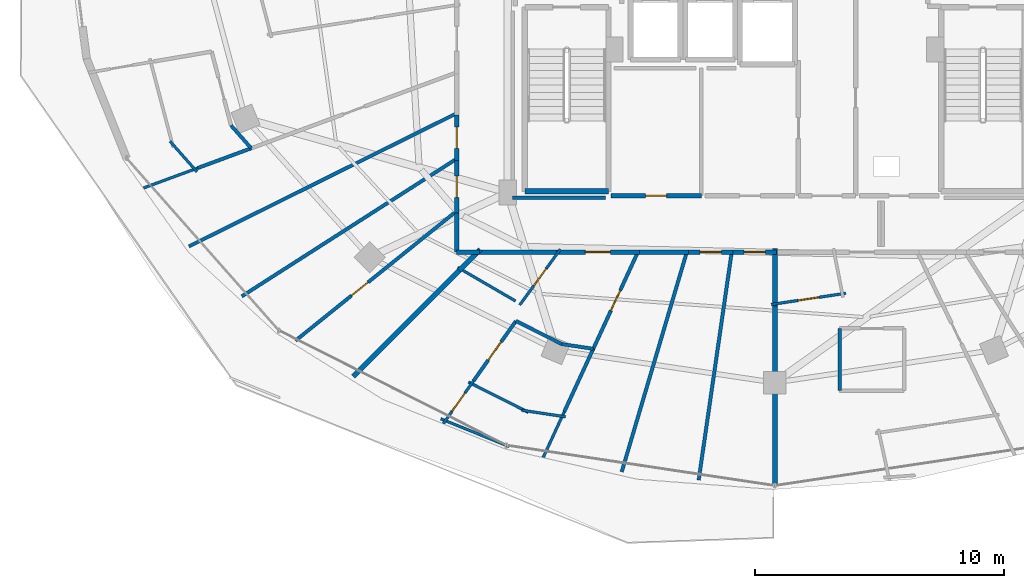
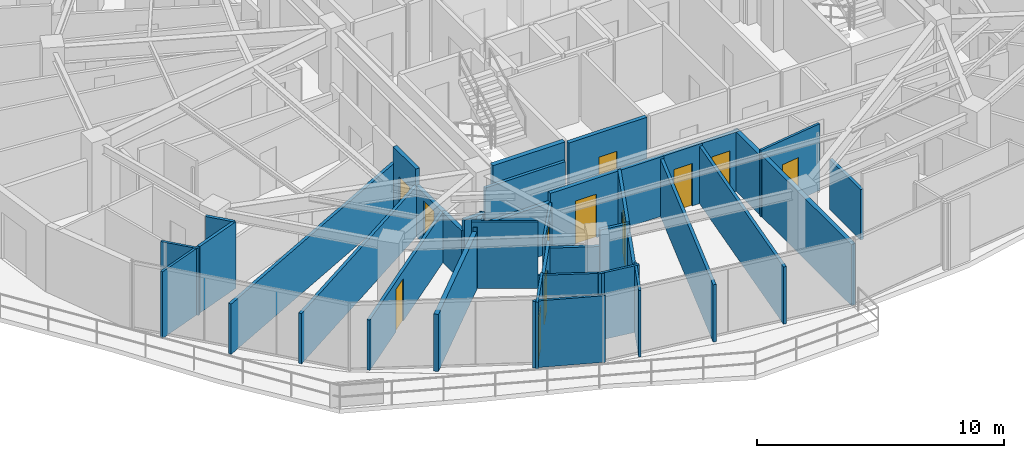
# One storey, part 24 of 33: 39 walls, 12 doors, 12 openings.
"""IFC4 building model written with IfcOpenShell, lengths in metres."""

from ifc_helpers import new_model, si_unit, direction, frame, frame_2d, origin, place, context, subcontext, project, spatial, rectangle, extrude, material, layer, layer_set, type_object, element, fill, save


model = new_model("IFC4")

# Units and contexts
model_context = context("Model", 3, precision=1e-05, world=origin(), true_north=direction((0.0, 1.0)))
body_context = subcontext(model_context, "Body", "Model", "MODEL_VIEW")
ifc_project = project(units=[si_unit("LENGTHUNIT", "METRE"), si_unit("AREAUNIT", "SQUARE_METRE"), si_unit("VOLUMEUNIT", "CUBIC_METRE"), si_unit("PLANEANGLEUNIT", "RADIAN"), si_unit("MASSUNIT", "GRAM", prefix="KILO")], contexts=[model_context])

# Site, building, storey
site_placement = place(None, origin())
site = spatial("IfcSite", under=ifc_project, at=site_placement, CompositionType="ELEMENT")
building_placement = place(site_placement, origin())
building = spatial("IfcBuilding", under=site, at=building_placement, Name="Vorneva Point Tower", CompositionType="ELEMENT")
storey_placement = place(building_placement, frame((0.0, 0.0, 200.10009765625)))
storey = spatial("IfcBuildingStorey", under=building, at=storey_placement, Name="L54", CompositionType="ELEMENT", Elevation=200.10009765625)

# Walls
ifc_material_1 = material(Name="Fire-rated acoustic gypsum stud partition", Category="gypsum")
ifc_layer_1 = layer(ifc_material_1, 0.110107421875)
ifc_layer_set_1 = layer_set([ifc_layer_1], Name="Fire-rated acoustic gypsum stud partition")
wall_type_1 = type_object("IfcWallType", Name="WL-PART-110", PredefinedType="PARTITIONING", material=ifc_layer_set_1)
wall_1_placement = place(storey_placement, frame((14.749755859375, 17.283203125, 0.0), z_axis=(0.0, 0.0, 1.0), x_axis=(-0.662345628205, 0.749198417509, 0.0)))
element("IfcWall", 1, at=wall_1_placement, inside=storey, type_object=wall_type_1, Name="L54 Interior Partition 109", PredefinedType="PARTITIONING", context=body_context, shape_type="SweptSolid", body=[
    extrude(rectangle(XDim=1.638916015625, YDim=0.110107421875, at=frame_2d((0.8193359375, 0.0))), origin(), (0.0, 0.0, 1.0), 3.289794921875),
])
wall_2_placement = place(storey_placement, frame((12.603759765625, 16.630615234375, 0.0), z_axis=(0.0, 0.0, 1.0), x_axis=(0.938194450562, 0.346108614361, 0.0)))
element("IfcWall", 2, at=wall_2_placement, inside=storey, type_object=wall_type_1, Name="L54 Interior Partition 111", PredefinedType="PARTITIONING", context=body_context, shape_type="SweptSolid", body=[
    extrude(rectangle(XDim=2.328369140625, YDim=0.110107421875, at=frame_2d((1.1640625, 0.0))), origin(), (0.0, 0.0, 1.0), 3.289794921875),
])

# Wall, opening, door
wall_3_placement = place(storey_placement, frame((29.37158203125, 14.1630859375, 0.0), z_axis=(0.0, 0.0, 1.0), x_axis=(-0.589066743954, -0.808084383693, 0.0)))
wall_3 = element("IfcWall", 3, at=wall_3_placement, inside=storey, type_object=wall_type_1, Name="L54 Interior Partition 118", PredefinedType="PARTITIONING", context=body_context, shape_type="SweptSolid", body=[
    extrude(rectangle(XDim=2.772216796875, YDim=0.110107421875, at=frame_2d((1.38623046875, 0.0))), origin(), (0.0, 0.0, 1.0), 2.48193359375),
])
opening_1_placement = place(wall_3_placement, frame((0.961181640625, 0.0, 0.0)))
opening_1 = element("IfcOpeningElement", 4, at=opening_1_placement, cuts=wall_3, Name="Opening ID-02", PredefinedType="OPENING", context=body_context, shape_type="SweptSolid", body=[
    extrude(rectangle(XDim=0.85009765625, YDim=2.10009765625, at=frame_2d((0.425048828125, 1.050048828125))), frame((0.0, 0.06982421875, 0.0), z_axis=(0.0, -1.0, 0.0), x_axis=(1.0, 0.0, 0.0)), (0.0, 0.0, 1.0), 0.139892578125),
])
ifc_material_2 = material(Name="Engineered oak fire-rated door leaf", Category="wood")
door_type_1 = type_object("IfcDoorType", Name="DR-BATH-850", OperationType="NOTDEFINED", PredefinedType="DOOR", material=ifc_material_2)
door_1_placement = place(opening_1_placement, origin())
door_1 = element("IfcDoor", 5, at=door_1_placement, inside=storey, type_object=door_type_1, Name="L54 Door Living and Dining Room L54-04 / Bathroom L54-04", OperationType="SINGLE_SWING_LEFT", OverallHeight=2.10009765625, OverallWidth=0.85009765625, PredefinedType="DOOR", context=body_context, shape_type="SweptSolid", body=[
    extrude(rectangle(XDim=0.85009765625, YDim=2.10009765625, at=frame_2d((0.425048828125, 1.050048828125))), frame((0.0, 0.02490234375, 0.0), z_axis=(0.0, -1.0, 0.0), x_axis=(1.0, 0.0, 0.0)), (0.0, 0.0, 1.0), 0.050048828125),
])
fill(opening_1, door_1)

# Walls
wall_4_placement = place(storey_placement, frame((27.568115234375, 12.08251953125, 0.0), z_axis=(0.0, 0.0, 1.0), x_axis=(-0.864515441931, 0.502606258082, 0.0)))
element("IfcWall", 6, at=wall_4_placement, inside=storey, type_object=wall_type_1, Name="L54 Interior Partition 119", PredefinedType="PARTITIONING", context=body_context, shape_type="SweptSolid", body=[
    extrude(rectangle(XDim=2.689697265625, YDim=0.110107421875, at=frame_2d((1.3447265625, 0.0))), origin(), (0.0, 0.0, 1.0), 3.289794921875),
])
wall_5_placement = place(storey_placement, frame((29.528564453125, 7.6240234375, 0.0), z_axis=(0.0, 0.0, 1.0), x_axis=(-0.418673802252, -0.908136689771, 0.0)))
element("IfcWall", 7, at=wall_5_placement, inside=storey, type_object=wall_type_1, Name="L54 Interior Partition 120", PredefinedType="PARTITIONING", context=body_context, shape_type="SweptSolid", body=[
    extrude(rectangle(XDim=2.01416015625, YDim=0.110107421875, at=frame_2d((1.007080078125, 0.0))), origin(), (0.0, 0.0, 1.0), 3.289794921875),
])
wall_6_placement = place(storey_placement, frame((24.561279296875, 7.342529296875, 0.0), z_axis=(0.0, 0.0, 1.0), x_axis=(0.926858319785, -0.375411314487, 0.0)))
element("IfcWall", 8, at=wall_6_placement, inside=storey, type_object=wall_type_1, Name="L54 Interior Partition 121", PredefinedType="PARTITIONING", context=body_context, shape_type="SweptSolid", body=[
    extrude(rectangle(XDim=2.970703125, YDim=0.110107421875, at=frame_2d((1.4853515625, 0.0))), origin(), (0.0, 0.0, 1.0), 3.289794921875),
])

# Wall, opening, door
wall_7_placement = place(storey_placement, frame((24.666259765625, 7.15380859375, 0.0), z_axis=(0.0, 0.0, 1.0), x_axis=(0.577389248155, 0.816469017241, 0.0)))
wall_7 = element("IfcWall", 9, at=wall_7_placement, inside=storey, type_object=wall_type_1, Name="L54 Interior Partition 122", PredefinedType="PARTITIONING", context=body_context, shape_type="SweptSolid", body=[
    extrude(rectangle(XDim=2.103515625, YDim=0.110107421875, at=frame_2d((1.0517578125, 0.0))), origin(), (0.0, 0.0, 1.0), 3.289794921875),
])
opening_2_placement = place(wall_7_placement, frame((0.601806640625, 0.0, 0.0)))
opening_2 = element("IfcOpeningElement", 10, at=opening_2_placement, cuts=wall_7, Name="Opening ID-01", PredefinedType="OPENING", context=body_context, shape_type="SweptSolid", body=[
    extrude(rectangle(XDim=0.89990234375, YDim=2.10009765625, at=frame_2d((0.449951171875, 1.050048828125))), frame((0.0, 0.06982421875, 0.0), z_axis=(0.0, -1.0, 0.0), x_axis=(1.0, 0.0, 0.0)), (0.0, 0.0, 1.0), 0.139892578125),
])
door_type_2 = type_object("IfcDoorType", Name="DR-ROOM-900", OperationType="NOTDEFINED", PredefinedType="DOOR", material=ifc_material_2)
door_2_placement = place(opening_2_placement, origin())
door_2 = element("IfcDoor", 11, at=door_2_placement, inside=storey, type_object=door_type_2, Name="L54 Door Living and Dining Room L54-04 / Kitchen L54-04", OperationType="SINGLE_SWING_LEFT", OverallHeight=2.10009765625, OverallWidth=0.89990234375, PredefinedType="DOOR", context=body_context, shape_type="SweptSolid", body=[
    extrude(rectangle(XDim=0.89990234375, YDim=2.10009765625, at=frame_2d((0.449951171875, 1.050048828125))), frame((0.0, 0.02490234375, 0.0), z_axis=(0.0, -1.0, 0.0), x_axis=(1.0, 0.0, 0.0)), (0.0, 0.0, 1.0), 0.050048828125),
])
fill(opening_2, door_2)

# Walls
wall_8_placement = place(storey_placement, frame((29.58349609375, 7.422119140625, 0.0), z_axis=(0.0, 0.0, 1.0), x_axis=(-0.988830695744, 0.149043131857, 0.0)))
element("IfcWall", 12, at=wall_8_placement, inside=storey, type_object=wall_type_1, Name="L54 Interior Partition 128", PredefinedType="PARTITIONING", context=body_context, shape_type="SweptSolid", body=[
    extrude(rectangle(XDim=1.783935546875, YDim=0.110107421875, at=frame_2d((0.89208984375, 0.0))), origin(), (0.0, 0.0, 1.0), 3.289794921875),
])
wall_9_placement = place(storey_placement, frame((28.0830078125, 7.60400390625, 0.0), z_axis=(0.0, 0.0, 1.0), x_axis=(-0.892628057427, 0.450793911999, 0.0)))
element("IfcWall", 13, at=wall_9_placement, inside=storey, type_object=wall_type_1, Name="L54 Interior Partition 129", PredefinedType="PARTITIONING", context=body_context, shape_type="SweptSolid", body=[
    extrude(rectangle(XDim=2.697509765625, YDim=0.110107421875, at=frame_2d((1.3486328125, 0.0))), origin(), (0.0, 0.0, 1.0), 3.289794921875),
])

# Wall, opening, door
wall_10_placement = place(storey_placement, frame((40.857421875, 12.393798828125, 0.0), z_axis=(0.0, 0.0, 1.0), x_axis=(-0.988873015636, -0.148762088409, 0.0)))
wall_10 = element("IfcWall", 14, at=wall_10_placement, inside=storey, type_object=wall_type_1, Name="L54 Interior Partition 135", PredefinedType="PARTITIONING", context=body_context, shape_type="SweptSolid", body=[
    extrude(rectangle(XDim=3.029541015625, YDim=0.110107421875, at=frame_2d((1.5146484375, 0.0))), origin(), (0.0, 0.0, 1.0), 3.289794921875),
])
opening_3_placement = place(wall_10_placement, frame((1.089599609375, 0.0, 0.0)))
opening_3 = element("IfcOpeningElement", 15, at=opening_3_placement, cuts=wall_10, Name="Opening ID-02", PredefinedType="OPENING", context=body_context, shape_type="SweptSolid", body=[
    extrude(rectangle(XDim=0.85009765625, YDim=2.10009765625, at=frame_2d((0.425048828125, 1.050048828125))), frame((0.0, 0.06982421875, 0.0), z_axis=(0.0, -1.0, 0.0), x_axis=(1.0, 0.0, 0.0)), (0.0, 0.0, 1.0), 0.139892578125),
])
door_3_placement = place(opening_3_placement, origin())
door_3 = element("IfcDoor", 16, at=door_3_placement, inside=storey, type_object=door_type_1, Name="L54 Door Living and Dining Room L54-05 / Bathroom L54-05", OperationType="SINGLE_SWING_RIGHT", OverallHeight=2.10009765625, OverallWidth=0.85009765625, PredefinedType="DOOR", context=body_context, shape_type="SweptSolid", body=[
    extrude(rectangle(XDim=0.85009765625, YDim=2.10009765625, at=frame_2d((0.425048828125, 1.050048828125))), frame((0.0, 0.02490234375, 0.0), z_axis=(0.0, -1.0, 0.0), x_axis=(1.0, 0.0, 0.0)), (0.0, 0.0, 1.0), 0.050048828125),
])
fill(opening_3, door_3)

# Walls
ifc_layer_2 = layer(ifc_material_1, 0.139892578125)
ifc_layer_set_2 = layer_set([ifc_layer_2], Name="Fire-rated acoustic gypsum stud partition")
wall_type_2 = type_object("IfcWallType", Name="WL-PART-140", PredefinedType="PARTITIONING", material=ifc_layer_set_2)
wall_11_placement = place(storey_placement, frame((16.123046875, 19.14697265625, 0.0), z_axis=(0.0, 0.0, 1.0), x_axis=(0.66171386468, -0.749756467988, 0.0)))
element("IfcWall", 17, at=wall_11_placement, inside=storey, type_object=wall_type_2, Name="L54 Interior Partition 106", PredefinedType="PARTITIONING", context=body_context, shape_type="SweptSolid", body=[
    extrude(rectangle(XDim=1.2255859375, YDim=0.139892578125, at=frame_2d((0.61279296875, 0.0))), origin(), (0.0, 0.0, 1.0), 3.289794921875),
])
wall_12_placement = place(storey_placement, frame((14.788330078125, 17.436279296875, 0.0), z_axis=(0.0, 0.0, 1.0), x_axis=(0.938171690747, 0.346170303003, 0.0)))
element("IfcWall", 18, at=wall_12_placement, inside=storey, type_object=wall_type_2, Name="L54 Interior Partition 112", PredefinedType="PARTITIONING", context=body_context, shape_type="SweptSolid", body=[
    extrude(rectangle(XDim=2.287109375, YDim=0.139892578125, at=frame_2d((1.1435546875, 0.0))), origin(), (0.0, 0.0, 1.0), 3.289794921875),
])
wall_13_placement = place(storey_placement, frame((14.427978515625, 14.280029296875, 0.0), z_axis=(0.0, 0.0, 1.0), x_axis=(0.895423439435, 0.44521552546, 0.0)))
element("IfcWall", 19, at=wall_13_placement, inside=storey, type_object=wall_type_2, Name="L54 Interior Partition 113", PredefinedType="PARTITIONING", context=body_context, shape_type="SweptSolid", body=[
    extrude(rectangle(XDim=12.030029296875, YDim=0.139892578125, at=frame_2d((6.01513671875, 0.0))), origin(), (0.0, 0.0, 1.0), 2.48193359375),
])
wall_14_placement = place(storey_placement, frame((16.554931640625, 12.27197265625, 0.0), z_axis=(0.0, 0.0, 1.0), x_axis=(0.842221721565, 0.539131312135, 0.0)))
element("IfcWall", 20, at=wall_14_placement, inside=storey, type_object=wall_type_2, Name="L54 Interior Partition 114", PredefinedType="PARTITIONING", context=body_context, shape_type="SweptSolid", body=[
    extrude(rectangle(XDim=10.2646484375, YDim=0.139892578125, at=frame_2d((5.13232421875, 0.0))), origin(), (0.0, 0.0, 1.0), 2.48193359375),
])

# Wall, opening, door
wall_15_placement = place(storey_placement, frame((18.715087890625, 10.487060546875, 0.0), z_axis=(0.0, 0.0, 1.0), x_axis=(0.779157389419, 0.626828335762, 0.0)))
wall_15 = element("IfcWall", 21, at=wall_15_placement, inside=storey, type_object=wall_type_2, Name="L54 Interior Partition 115", PredefinedType="PARTITIONING", context=body_context, shape_type="SweptSolid", body=[
    extrude(rectangle(XDim=8.322998046875, YDim=0.139892578125, at=frame_2d((4.16162109375, 0.0))), origin(), (0.0, 0.0, 1.0), 2.48193359375),
])
opening_4_placement = place(wall_15_placement, frame((2.896484375, 0.0, 0.0)))
opening_4 = element("IfcOpeningElement", 22, at=opening_4_placement, cuts=wall_15, Name="Opening ID-02", PredefinedType="OPENING", context=body_context, shape_type="SweptSolid", body=[
    extrude(rectangle(XDim=0.85009765625, YDim=2.10009765625, at=frame_2d((0.425048828125, 1.050048828125))), frame((0.0, 0.0849609375, 0.0), z_axis=(0.0, -1.0, 0.0), x_axis=(1.0, 0.0, 0.0)), (0.0, 0.0, 1.0), 0.169677734375),
])
door_4_placement = place(opening_4_placement, origin())
door_4 = element("IfcDoor", 23, at=door_4_placement, inside=storey, type_object=door_type_1, Name="L54 Access Door Bedroom L54-03.3", OperationType="SINGLE_SWING_LEFT", OverallHeight=2.10009765625, OverallWidth=0.85009765625, PredefinedType="DOOR", context=body_context, shape_type="SweptSolid", body=[
    extrude(rectangle(XDim=0.85009765625, YDim=2.10009765625, at=frame_2d((0.425048828125, 1.050048828125))), frame((0.0, 0.02490234375, 0.0), z_axis=(0.0, -1.0, 0.0), x_axis=(1.0, 0.0, 0.0)), (0.0, 0.0, 1.0), 0.050048828125),
])
fill(opening_4, door_4)

# Walls
wall_16_placement = place(storey_placement, frame((27.5859375, 11.280029296875, 0.0), z_axis=(0.0, 0.0, 1.0), x_axis=(0.89250267167, -0.451042105643, 0.0)))
element("IfcWall", 24, at=wall_16_placement, inside=storey, type_object=wall_type_2, Name="L54 Interior Partition 123", PredefinedType="PARTITIONING", context=body_context, shape_type="SweptSolid", body=[
    extrude(rectangle(XDim=2.06396484375, YDim=0.139892578125, at=frame_2d((1.031982421875, 0.0))), origin(), (0.0, 0.0, 1.0), 2.48193359375),
])
wall_17_placement = place(storey_placement, frame((29.427978515625, 10.34912109375, 0.0), z_axis=(0.0, 0.0, 1.0), x_axis=(0.988955881685, -0.148210202353, 0.0)))
element("IfcWall", 25, at=wall_17_placement, inside=storey, type_object=wall_type_2, Name="L54 Interior Partition 124", PredefinedType="PARTITIONING", context=body_context, shape_type="SweptSolid", body=[
    extrude(rectangle(XDim=1.283203125, YDim=0.139892578125, at=frame_2d((0.6416015625, 0.0))), origin(), (0.0, 0.0, 1.0), 3.289794921875),
])
wall_18_placement = place(storey_placement, frame((30.697021484375, 10.158935546875, 0.0), z_axis=(0.0, 0.0, 1.0), x_axis=(-0.41861439522, -0.908164075547, 0.0)))
element("IfcWall", 26, at=wall_18_placement, inside=storey, type_object=wall_type_2, Name="L54 Interior Partition 125", PredefinedType="PARTITIONING", context=body_context, shape_type="SweptSolid", body=[
    extrude(rectangle(XDim=2.791259765625, YDim=0.139892578125, at=frame_2d((1.3955078125, 0.0))), origin(), (0.0, 0.0, 1.0), 2.823974609375),
])

# Wall, opening, door
wall_19_placement = place(storey_placement, frame((25.880859375, 8.87109375, 0.0), z_axis=(0.0, 0.0, 1.0), x_axis=(0.577734997211, 0.816224401128, 0.0)))
wall_19 = element("IfcWall", 27, at=wall_19_placement, inside=storey, type_object=wall_type_2, Name="L54 Interior Partition 126", PredefinedType="PARTITIONING", context=body_context, shape_type="SweptSolid", body=[
    extrude(rectangle(XDim=2.951416015625, YDim=0.139892578125, at=frame_2d((1.4755859375, 0.0))), origin(), (0.0, 0.0, 1.0), 2.823974609375),
])
opening_5_placement = place(wall_19_placement, frame((1.025634765625, 0.0, 0.0)))
opening_5 = element("IfcOpeningElement", 28, at=opening_5_placement, cuts=wall_19, Name="Opening ID-01", PredefinedType="OPENING", context=body_context, shape_type="SweptSolid", body=[
    extrude(rectangle(XDim=0.89990234375, YDim=2.10009765625, at=frame_2d((0.449951171875, 1.050048828125))), frame((0.0, 0.0849609375, 0.0), z_axis=(0.0, -1.0, 0.0), x_axis=(1.0, 0.0, 0.0)), (0.0, 0.0, 1.0), 0.169677734375),
])
door_5_placement = place(opening_5_placement, origin())
door_5 = element("IfcDoor", 29, at=door_5_placement, inside=storey, type_object=door_type_2, Name="L54 Door Living and Dining Room L54-04 / Study Room L54-04", OperationType="SINGLE_SWING_RIGHT", OverallHeight=2.10009765625, OverallWidth=0.89990234375, PredefinedType="DOOR", context=body_context, shape_type="SweptSolid", body=[
    extrude(rectangle(XDim=0.89990234375, YDim=2.10009765625, at=frame_2d((0.449951171875, 1.050048828125))), frame((0.0, 0.02490234375, 0.0), z_axis=(0.0, -1.0, 0.0), x_axis=(1.0, 0.0, 0.0)), (0.0, 0.0, 1.0), 0.050048828125),
])
fill(opening_5, door_5)

wall_20_placement = place(storey_placement, frame((30.697265625, 10.158935546875, 0.0), z_axis=(0.0, 0.0, 1.0), x_axis=(0.418635364892, 0.908154409372, 0.0)))
wall_20 = element("IfcWall", 30, at=wall_20_placement, inside=storey, type_object=wall_type_2, Name="L54 Interior Partition 127", PredefinedType="PARTITIONING", context=body_context, shape_type="SweptSolid", body=[
    extrude(rectangle(XDim=4.28466796875, YDim=0.139892578125, at=frame_2d((2.142333984375, 0.0))), origin(), (0.0, 0.0, 1.0), 2.935791015625),
])
opening_6_placement = place(wall_20_placement, frame((1.6923828125, 0.0, 0.0)))
opening_6 = element("IfcOpeningElement", 31, at=opening_6_placement, cuts=wall_20, Name="Opening ID-01", PredefinedType="OPENING", context=body_context, shape_type="SweptSolid", body=[
    extrude(rectangle(XDim=0.89990234375, YDim=2.10009765625, at=frame_2d((0.449951171875, 1.050048828125))), frame((0.0, 0.0849609375, 0.0), z_axis=(0.0, -1.0, 0.0), x_axis=(1.0, 0.0, 0.0)), (0.0, 0.0, 1.0), 0.169677734375),
])
door_6_placement = place(opening_6_placement, origin())
door_6 = element("IfcDoor", 32, at=door_6_placement, inside=storey, type_object=door_type_2, Name="L54 Door Living and Dining Room L54-04 / Master Bedroom L54-04.1", OperationType="SINGLE_SWING_LEFT", OverallHeight=2.10009765625, OverallWidth=0.89990234375, PredefinedType="DOOR", context=body_context, shape_type="SweptSolid", body=[
    extrude(rectangle(XDim=0.89990234375, YDim=2.10009765625, at=frame_2d((0.449951171875, 1.050048828125))), frame((0.0, 0.02490234375, 0.0), z_axis=(0.0, -1.0, 0.0), x_axis=(1.0, 0.0, 0.0)), (0.0, 0.0, 1.0), 0.050048828125),
])
fill(opening_6, door_6)

# Walls
wall_21_placement = place(storey_placement, frame((31.842041015625, 5.2099609375, 0.0), z_axis=(0.0, 0.0, 1.0), x_axis=(0.283952183478, 0.958838441813, 0.0)))
element("IfcWall", 33, at=wall_21_placement, inside=storey, type_object=wall_type_2, Name="L54 Interior Partition 130", PredefinedType="PARTITIONING", context=body_context, shape_type="SweptSolid", body=[
    extrude(rectangle(XDim=9.219482421875, YDim=0.139892578125, at=frame_2d((4.60986328125, 0.0))), origin(), (0.0, 0.0, 1.0), 2.823974609375),
])
wall_22_placement = place(storey_placement, frame((34.93798828125, 4.87890625, 0.0), z_axis=(0.0, 0.0, 1.0), x_axis=(0.143423836858, 0.989661357749, 0.0)))
element("IfcWall", 34, at=wall_22_placement, inside=storey, type_object=wall_type_2, Name="L54 Interior Partition 131", PredefinedType="PARTITIONING", context=body_context, shape_type="SweptSolid", body=[
    extrude(rectangle(XDim=9.266845703125, YDim=0.139892578125, at=frame_2d((4.63330078125, 0.0))), origin(), (0.0, 0.0, 1.0), 2.823974609375),
])
wall_23_placement = place(storey_placement, frame((40.60693359375, 10.97900390625, 0.0), z_axis=(0.0, 0.0, 1.0), x_axis=(0.0, -1.0, 0.0)))
element("IfcWall", 35, at=wall_23_placement, inside=storey, type_object=wall_type_2, Name="L54 Interior Partition 140", PredefinedType="PARTITIONING", context=body_context, shape_type="SweptSolid", body=[
    extrude(rectangle(XDim=2.5, YDim=0.139892578125, at=frame_2d((1.25, 0.0))), origin(), (0.0, 0.0, 1.0), 2.48193359375),
])
wall_24_placement = place(storey_placement, frame((27.449951171875, 16.239990234375, 0.0), z_axis=(0.0, 0.0, 1.0), x_axis=(1.0, 0.0, 0.0)))
element("IfcWall", 36, at=wall_24_placement, inside=storey, type_object=wall_type_2, Name="L54 Interior Closure Partition 172", PredefinedType="PARTITIONING", context=body_context, shape_type="SweptSolid", body=[
    extrude(rectangle(XDim=3.7451171875, YDim=0.139892578125, at=frame_2d((1.87255859375, 0.0))), origin(), (0.0, 0.0, 1.0), 2.48193359375),
])

# Wall, opening, door
ifc_material_3 = material(Name="Autoclaved aerated concrete blockwork", Category="masonry")
ifc_layer_3 = layer(ifc_material_3, 0.179931640625)
ifc_layer_set_3 = layer_set([ifc_layer_3], Name="Autoclaved aerated concrete blockwork")
wall_type_3 = type_object("IfcWallType", Name="WL-PART-180", PredefinedType="PARTITIONING", material=ifc_layer_set_3)
wall_25_placement = place(storey_placement, frame((31.39990234375, 16.320068359375, 0.0), z_axis=(0.0, 0.0, 1.0), x_axis=(1.0, 0.0, 0.0)))
wall_25 = element("IfcWall", 37, at=wall_25_placement, inside=storey, type_object=wall_type_3, Name="L54 Interior Partition 027", PredefinedType="PARTITIONING", context=body_context, shape_type="SweptSolid", body=[
    extrude(rectangle(XDim=3.650146484375, YDim=0.179931640625, at=frame_2d((1.8251953125, 0.0))), origin(), (0.0, 0.0, 1.0), 3.289794921875),
])
opening_7_placement = place(wall_25_placement, frame((1.39990234375, 0.0, 0.0)))
opening_7 = element("IfcOpeningElement", 38, at=opening_7_placement, cuts=wall_25, Name="Opening ID-02", PredefinedType="OPENING", context=body_context, shape_type="SweptSolid", body=[
    extrude(rectangle(XDim=0.85009765625, YDim=2.10009765625, at=frame_2d((0.425048828125, 1.050048828125))), frame((0.0, 0.10498046875, 0.0), z_axis=(0.0, -1.0, 0.0), x_axis=(1.0, 0.0, 0.0)), (0.0, 0.0, 1.0), 0.209716796875),
])
door_7_placement = place(opening_7_placement, origin())
door_7 = element("IfcDoor", 39, at=door_7_placement, inside=storey, type_object=door_type_1, Name="L54 Door Cleaners Store / L54 Circulation Corridor", OperationType="SINGLE_SWING_RIGHT", OverallHeight=2.10009765625, OverallWidth=0.85009765625, PredefinedType="DOOR", context=body_context, shape_type="SweptSolid", body=[
    extrude(rectangle(XDim=0.85009765625, YDim=2.10009765625, at=frame_2d((0.425048828125, 1.050048828125))), frame((0.0, 0.02490234375, 0.0), z_axis=(0.0, -1.0, 0.0), x_axis=(1.0, 0.0, 0.0)), (0.0, 0.0, 1.0), 0.050048828125),
])
fill(opening_7, door_7)

wall_26_placement = place(storey_placement, frame((25.199951171875, 19.569091796875, 0.0), z_axis=(0.0, 0.0, 1.0), x_axis=(0.0, -1.0, 0.0)))
wall_26 = element("IfcWall", 40, at=wall_26_placement, inside=storey, type_object=wall_type_3, Name="L54 Interior Partition 051", PredefinedType="PARTITIONING", context=body_context, shape_type="SweptSolid", body=[
    extrude(rectangle(XDim=1.833984375, YDim=0.179931640625, at=frame_2d((0.9169921875, 0.0))), origin(), (0.0, 0.0, 1.0), 3.289794921875),
])
opening_8_placement = place(wall_26_placement, frame((0.491943359375, 0.0, 0.0)))
opening_8 = element("IfcOpeningElement", 41, at=opening_8_placement, cuts=wall_26, Name="Opening ID-02", PredefinedType="OPENING", context=body_context, shape_type="SweptSolid", body=[
    extrude(rectangle(XDim=0.85009765625, YDim=2.10009765625, at=frame_2d((0.425048828125, 1.050048828125))), frame((0.0, 0.10498046875, 0.0), z_axis=(0.0, -1.0, 0.0), x_axis=(1.0, 0.0, 0.0)), (0.0, 0.0, 1.0), 0.209716796875),
])
door_8_placement = place(opening_8_placement, origin())
door_8 = element("IfcDoor", 42, at=door_8_placement, inside=storey, type_object=door_type_1, Name="L54 Access Door L54 Circulation Corridor", OperationType="SINGLE_SWING_RIGHT", OverallHeight=2.10009765625, OverallWidth=0.85009765625, PredefinedType="DOOR", context=body_context, shape_type="SweptSolid", body=[
    extrude(rectangle(XDim=0.85009765625, YDim=2.10009765625, at=frame_2d((0.425048828125, 1.050048828125))), frame((0.0, 0.02490234375, 0.0), z_axis=(0.0, -1.0, 0.0), x_axis=(1.0, 0.0, 0.0)), (0.0, 0.0, 1.0), 0.050048828125),
])
fill(opening_8, door_8)

wall_27_placement = place(storey_placement, frame((25.199951171875, 17.735107421875, 0.0), z_axis=(0.0, 0.0, 1.0), x_axis=(0.0, -1.0, 0.0)))
wall_27 = element("IfcWall", 43, at=wall_27_placement, inside=storey, type_object=wall_type_3, Name="L54 Interior Partition 052", PredefinedType="PARTITIONING", context=body_context, shape_type="SweptSolid", body=[
    extrude(rectangle(XDim=2.108154296875, YDim=0.179931640625, at=frame_2d((1.05419921875, 0.0))), origin(), (0.0, 0.0, 1.0), 2.48193359375),
])
opening_9_placement = place(wall_27_placement, frame((0.62890625, 0.0, 0.0)))
opening_9 = element("IfcOpeningElement", 44, at=opening_9_placement, cuts=wall_27, Name="Opening ID-02", PredefinedType="OPENING", context=body_context, shape_type="SweptSolid", body=[
    extrude(rectangle(XDim=0.85009765625, YDim=2.10009765625, at=frame_2d((0.425048828125, 1.050048828125))), frame((0.0, 0.10498046875, 0.0), z_axis=(0.0, -1.0, 0.0), x_axis=(1.0, 0.0, 0.0)), (0.0, 0.0, 1.0), 0.209716796875),
])
door_9_placement = place(opening_9_placement, origin())
door_9 = element("IfcDoor", 45, at=door_9_placement, inside=storey, type_object=door_type_1, Name="L54 Access Door L54 Circulation Corridor", OperationType="SINGLE_SWING_LEFT", OverallHeight=2.10009765625, OverallWidth=0.85009765625, PredefinedType="DOOR", context=body_context, shape_type="SweptSolid", body=[
    extrude(rectangle(XDim=0.85009765625, YDim=2.10009765625, at=frame_2d((0.425048828125, 1.050048828125))), frame((0.0, 0.02490234375, 0.0), z_axis=(0.0, -1.0, 0.0), x_axis=(1.0, 0.0, 0.0)), (0.0, 0.0, 1.0), 0.050048828125),
])
fill(opening_9, door_9)

# Walls
wall_28_placement = place(storey_placement, frame((25.199951171875, 15.626953125, 0.0), z_axis=(0.0, 0.0, 1.0), x_axis=(0.0, -1.0, 0.0)))
element("IfcWall", 46, at=wall_28_placement, inside=storey, type_object=wall_type_3, Name="L54 Interior Partition 053", PredefinedType="PARTITIONING", context=body_context, shape_type="SweptSolid", body=[
    extrude(rectangle(XDim=1.576904296875, YDim=0.179931640625, at=frame_2d((0.78857421875, 0.0))), origin(), (0.0, 0.0, 1.0), 2.48193359375),
])
wall_29_placement = place(storey_placement, frame((25.199951171875, 14.050048828125, 0.0), z_axis=(0.0, 0.0, 1.0), x_axis=(1.0, 0.0, 0.0)))
element("IfcWall", 47, at=wall_29_placement, inside=storey, type_object=wall_type_3, Name="L54 Interior Partition 054", PredefinedType="PARTITIONING", context=body_context, shape_type="SweptSolid", body=[
    extrude(rectangle(XDim=0.91015625, YDim=0.179931640625, at=frame_2d((0.455078125, 0.0))), origin(), (0.0, 0.0, 1.0), 3.02197265625),
])

# Wall, opening, door
wall_30_placement = place(storey_placement, frame((29.215087890625, 14.050048828125, 0.0), z_axis=(0.0, 0.0, 1.0), x_axis=(1.0, 0.0, 0.0)))
wall_30 = element("IfcWall", 48, at=wall_30_placement, inside=storey, type_object=wall_type_3, Name="L54 Interior Partition 055", PredefinedType="PARTITIONING", context=body_context, shape_type="SweptSolid", body=[
    extrude(rectangle(XDim=3.3359375, YDim=0.179931640625, at=frame_2d((1.66796875, 0.0))), origin(), (0.0, 0.0, 1.0), 2.935791015625),
])
opening_10_placement = place(wall_30_placement, frame((1.16796875, 0.0, 0.0)))
opening_10 = element("IfcOpeningElement", 49, at=opening_10_placement, cuts=wall_30, Name="Opening UD-01", PredefinedType="OPENING", context=body_context, shape_type="SweptSolid", body=[
    extrude(rectangle(XDim=1.0, YDim=2.14990234375, at=frame_2d((0.5, 1.074951171875))), frame((0.0, 0.10498046875, 0.0), z_axis=(0.0, -1.0, 0.0), x_axis=(1.0, 0.0, 0.0)), (0.0, 0.0, 1.0), 0.209716796875),
])
door_type_3 = type_object("IfcDoorType", Name="DR-UNIT-1000", OperationType="NOTDEFINED", PredefinedType="DOOR", material=ifc_material_2)
door_10_placement = place(opening_10_placement, origin())
door_10 = element("IfcDoor", 50, at=door_10_placement, inside=storey, type_object=door_type_3, Name="L54 Door L54 Circulation Corridor / Living and Dining Room L54-04", OperationType="SINGLE_SWING_LEFT", OverallHeight=2.14990234375, OverallWidth=1.0, PredefinedType="DOOR", context=body_context, shape_type="SweptSolid", body=[
    extrude(rectangle(XDim=1.0, YDim=2.14990234375, at=frame_2d((0.5, 1.074951171875))), frame((0.0, 0.02490234375, 0.0), z_axis=(0.0, -1.0, 0.0), x_axis=(1.0, 0.0, 0.0)), (0.0, 0.0, 1.0), 0.050048828125),
])
fill(opening_10, door_10)

# Walls
wall_31_placement = place(storey_placement, frame((25.969970703125, 14.050048828125, 0.0), z_axis=(0.0, 0.0, 1.0), x_axis=(1.0, 0.0, 0.0)))
element("IfcWall", 51, at=wall_31_placement, inside=storey, type_object=wall_type_3, Name="L54 Interior Partition 056", PredefinedType="PARTITIONING", context=body_context, shape_type="SweptSolid", body=[
    extrude(rectangle(XDim=3.385009765625, YDim=0.179931640625, at=frame_2d((1.6923828125, 0.0))), origin(), (0.0, 0.0, 1.0), 2.48193359375),
])
wall_32_placement = place(storey_placement, frame((32.551025390625, 14.050048828125, 0.0), z_axis=(0.0, 0.0, 1.0), x_axis=(1.0, 0.0, 0.0)))
element("IfcWall", 52, at=wall_32_placement, inside=storey, type_object=wall_type_3, Name="L54 Interior Partition 057", PredefinedType="PARTITIONING", context=body_context, shape_type="SweptSolid", body=[
    extrude(rectangle(XDim=1.968994140625, YDim=0.179931640625, at=frame_2d((0.984375, 0.0))), origin(), (0.0, 0.0, 1.0), 2.935791015625),
])

# Wall, opening, door
wall_33_placement = place(storey_placement, frame((34.52001953125, 14.050048828125, 0.0), z_axis=(0.0, 0.0, 1.0), x_axis=(1.0, 0.0, 0.0)))
wall_33 = element("IfcWall", 53, at=wall_33_placement, inside=storey, type_object=wall_type_3, Name="L54 Interior Partition 058", PredefinedType="PARTITIONING", context=body_context, shape_type="SweptSolid", body=[
    extrude(rectangle(XDim=1.806884765625, YDim=0.179931640625, at=frame_2d((0.9033203125, 0.0))), origin(), (0.0, 0.0, 1.0), 2.935791015625),
])
opening_11_placement = place(wall_33_placement, frame((0.478515625, 0.0, 0.0)))
opening_11 = element("IfcOpeningElement", 54, at=opening_11_placement, cuts=wall_33, Name="Opening ID-02", PredefinedType="OPENING", context=body_context, shape_type="SweptSolid", body=[
    extrude(rectangle(XDim=0.85009765625, YDim=2.10009765625, at=frame_2d((0.425048828125, 1.050048828125))), frame((0.0, 0.10498046875, 0.0), z_axis=(0.0, -1.0, 0.0), x_axis=(1.0, 0.0, 0.0)), (0.0, 0.0, 1.0), 0.209716796875),
])
door_11_placement = place(opening_11_placement, origin())
door_11 = element("IfcDoor", 55, at=door_11_placement, inside=storey, type_object=door_type_1, Name="L54 Access Door L54 Circulation Corridor", OperationType="SINGLE_SWING_RIGHT", OverallHeight=2.10009765625, OverallWidth=0.85009765625, PredefinedType="DOOR", context=body_context, shape_type="SweptSolid", body=[
    extrude(rectangle(XDim=0.85009765625, YDim=2.10009765625, at=frame_2d((0.425048828125, 1.050048828125))), frame((0.0, 0.02490234375, 0.0), z_axis=(0.0, -1.0, 0.0), x_axis=(1.0, 0.0, 0.0)), (0.0, 0.0, 1.0), 0.050048828125),
])
fill(opening_11, door_11)

wall_34_placement = place(storey_placement, frame((36.326904296875, 14.050048828125, 0.0), z_axis=(0.0, 0.0, 1.0), x_axis=(1.0, 0.0, 0.0)))
wall_34 = element("IfcWall", 56, at=wall_34_placement, inside=storey, type_object=wall_type_3, Name="L54 Interior Partition 059", PredefinedType="PARTITIONING", context=body_context, shape_type="SweptSolid", body=[
    extrude(rectangle(XDim=1.733154296875, YDim=0.179931640625, at=frame_2d((0.86669921875, 0.0))), origin(), (0.0, 0.0, 1.0), 2.935791015625),
])
opening_12_placement = place(wall_34_placement, frame((0.44140625, 0.0, 0.0)))
opening_12 = element("IfcOpeningElement", 57, at=opening_12_placement, cuts=wall_34, Name="Opening ID-02", PredefinedType="OPENING", context=body_context, shape_type="SweptSolid", body=[
    extrude(rectangle(XDim=0.85009765625, YDim=2.10009765625, at=frame_2d((0.425048828125, 1.050048828125))), frame((0.0, 0.10498046875, 0.0), z_axis=(0.0, -1.0, 0.0), x_axis=(1.0, 0.0, 0.0)), (0.0, 0.0, 1.0), 0.209716796875),
])
door_12_placement = place(opening_12_placement, origin())
door_12 = element("IfcDoor", 58, at=door_12_placement, inside=storey, type_object=door_type_1, Name="L54 Access Door L54 Circulation Corridor", OperationType="SINGLE_SWING_LEFT", OverallHeight=2.10009765625, OverallWidth=0.85009765625, PredefinedType="DOOR", context=body_context, shape_type="SweptSolid", body=[
    extrude(rectangle(XDim=0.85009765625, YDim=2.10009765625, at=frame_2d((0.425048828125, 1.050048828125))), frame((0.0, 0.02490234375, 0.0), z_axis=(0.0, -1.0, 0.0), x_axis=(1.0, 0.0, 0.0)), (0.0, 0.0, 1.0), 0.050048828125),
])
fill(opening_12, door_12)

# Walls
ifc_layer_4 = layer(ifc_material_3, 0.199951171875)
ifc_layer_set_4 = layer_set([ifc_layer_4], Name="Autoclaved aerated concrete blockwork")
wall_type_4 = type_object("IfcWallType", Name="WL-PART-200", PredefinedType="PARTITIONING", material=ifc_layer_set_4)
wall_35_placement = place(storey_placement, frame((21.041015625, 9.041015625, 0.0), z_axis=(0.0, 0.0, 1.0), x_axis=(0.707106781187, 0.707106781187, 0.0)))
element("IfcWall", 59, at=wall_35_placement, inside=storey, type_object=wall_type_4, Name="L54 Interior Partition 116", PredefinedType="PARTITIONING", context=body_context, shape_type="SweptSolid", body=[
    extrude(rectangle(XDim=6.17578125, YDim=0.199951171875, at=frame_2d((3.087890625, 0.0))), origin(), (0.0, 0.0, 1.0), 2.823974609375),
])
wall_36_placement = place(storey_placement, frame((25.30908203125, 13.30908203125, 0.0), z_axis=(0.0, 0.0, 1.0), x_axis=(0.707106781187, 0.707106781187, 0.0)))
element("IfcWall", 60, at=wall_36_placement, inside=storey, type_object=wall_type_4, Name="L54 Interior Partition 117", PredefinedType="PARTITIONING", context=body_context, shape_type="SweptSolid", body=[
    extrude(rectangle(XDim=1.187744140625, YDim=0.199951171875, at=frame_2d((0.59375, 0.0))), origin(), (0.0, 0.0, 1.0), 3.02197265625),
])
wall_37_placement = place(storey_placement, frame((38.0, 4.64990234375, 0.0), z_axis=(0.0, 0.0, 1.0), x_axis=(0.0, 1.0, 0.0)))
element("IfcWall", 61, at=wall_37_placement, inside=storey, type_object=wall_type_4, Name="L54 Interior Partition 132", PredefinedType="PARTITIONING", context=body_context, shape_type="SweptSolid", body=[
    extrude(rectangle(XDim=7.375, YDim=0.199951171875, at=frame_2d((3.6875, 0.0))), origin(), (0.0, 0.0, 1.0), 3.02197265625),
])
wall_38_placement = place(storey_placement, frame((38.0, 11.885009765625, 0.0), z_axis=(0.0, 0.0, 1.0), x_axis=(0.0, 1.0, 0.0)))
element("IfcWall", 62, at=wall_38_placement, inside=storey, type_object=wall_type_4, Name="L54 Interior Partition 133", PredefinedType="PARTITIONING", context=body_context, shape_type="SweptSolid", body=[
    extrude(rectangle(XDim=2.304931640625, YDim=0.199951171875, at=frame_2d((1.15234375, 0.0))), origin(), (0.0, 0.0, 1.0), 2.935791015625),
])
ifc_material_4 = material(Name="Concrete B50 (C40/50)", Category="concrete")
ifc_layer_5 = layer(ifc_material_4, 0.219970703125)
ifc_layer_set_5 = layer_set([ifc_layer_5], Name="Concrete B50 (C40/50)")
wall_type_5 = type_object("IfcWallType", Name="WL-SHFT-220", PredefinedType="SOLIDWALL", material=ifc_layer_set_5)
wall_39_placement = place(storey_placement, frame((31.31005859375, 16.489990234375, 0.0), z_axis=(0.0, 0.0, 1.0), x_axis=(-1.0, 0.0, 0.0)))
element("IfcWall", 63, at=wall_39_placement, inside=storey, type_object=wall_type_5, Name="L54 Exit Stair ST1 Shaft Wall far", PredefinedType="SOLIDWALL", context=body_context, shape_type="SweptSolid", body=[
    extrude(rectangle(XDim=3.3701171875, YDim=0.219970703125, at=frame_2d((1.68505859375, 0.0))), origin(), (0.0, 0.0, 1.0), 3.289794921875),
])

save(model, "model.ifc")
